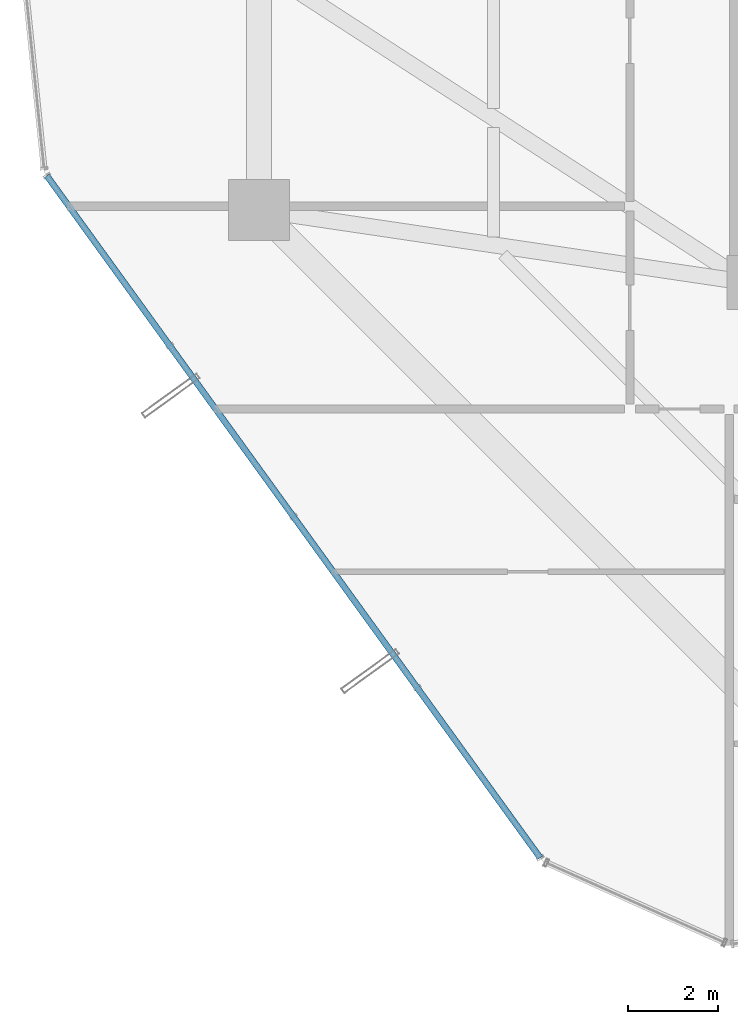
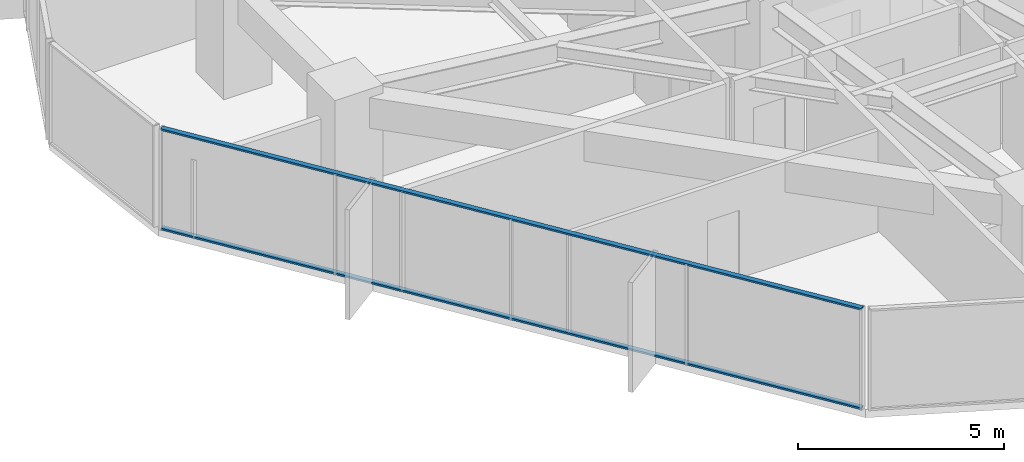
# One storey, part 3 of 37: 2 members, 1 element without a shape of its own.
"""IFC4 building model written with IfcOpenShell, lengths in metres."""

from ifc_helpers import new_model, si_unit, direction, frame, origin, origin_2d, place, context, subcontext, project, spatial, hollow_rectangle, extrude, source, transform, mapped, material, layer, layer_set, material_profile, profile_set, type_object, element, aggregate, save


model = new_model("IFC4")

# Units and contexts
model_context = context("Model", 3, precision=1e-05, world=origin(), true_north=direction((0.0, 1.0)))
body_context = subcontext(model_context, "Body", "Model", "MODEL_VIEW")
ifc_project = project(units=[si_unit("LENGTHUNIT", "METRE"), si_unit("AREAUNIT", "SQUARE_METRE"), si_unit("VOLUMEUNIT", "CUBIC_METRE"), si_unit("PLANEANGLEUNIT", "RADIAN"), si_unit("MASSUNIT", "GRAM", prefix="KILO")], contexts=[model_context])

# Site, building, storey
site_placement = place(None, origin())
site = spatial("IfcSite", under=ifc_project, at=site_placement, CompositionType="ELEMENT")
building_placement = place(site_placement, origin())
building = spatial("IfcBuilding", under=site, at=building_placement, Name="Veraguas Prism Commons", CompositionType="ELEMENT")
storey_placement = place(building_placement, frame((0.0, 0.0, 43.550048828125)))
storey = spatial("IfcBuildingStorey", under=building, at=storey_placement, Name="L11", CompositionType="ELEMENT", Elevation=43.550048828125)

# Curtain wall, members
ifc_material = material(Name="Anodised aluminium EN AW-6063 T6", Category="aluminium")
ifc_layer = layer(ifc_material, 0.169921875, Name="Unitised Flush Curtain Wall Zone 1", Category="aluminium")
ifc_layer_set = layer_set([ifc_layer], Name="Anodised aluminium EN AW-6063 T6")
curtain_wall_type = type_object("IfcCurtainWallType", Name="Unitised Flush Curtain Wall Zone 1", PredefinedType="NOTDEFINED", material=ifc_layer_set)
curtain_wall_placement = place(storey_placement, origin())
curtain_wall = element("IfcCurtainWall", 1, at=curtain_wall_placement, inside=storey, type_object=curtain_wall_type, Name="Tower Facade Curtain Wall L11-F4", PredefinedType="NOTDEFINED")
ifc_material_profile = material_profile(ifc_material, hollow_rectangle(XDim=0.054931640625, YDim=0.135009765625, WallThickness=0.0029296875, at=origin_2d()), Name="AL55X135X3")
ifc_profile_set = profile_set([ifc_material_profile], Name="Anodised aluminium EN AW-6063 T6")
member_type = type_object("IfcMemberType", Name="Curtain Wall Transom Standard AL 55x135x3", PredefinedType="USERDEFINED", material=ifc_profile_set)
shared_shape = source(origin(), body_context, "Body", "SweptSolid", [
    extrude(hollow_rectangle(XDim=0.054931640625, YDim=0.135009765625, WallThickness=0.0029296875, at=origin_2d()), origin(), (0.0, 0.0, 1.0), 18.623779296875),
])
member_1_placement = place(storey_placement, frame((1.701904296875, 19.36328125, 0.02734375), z_axis=(0.586083898437, -0.810250371177, 0.0), x_axis=(0.0, 0.0, 1.0)))
member_1 = element("IfcMember", 2, at=member_1_placement, type_object=member_type, Name="CW-Z1 Transom 1", ObjectType="TRANSOM", PredefinedType="USERDEFINED", context=body_context, shape_type="MappedRepresentation", body=[
    mapped(shared_shape, transform((0.0, 0.0, 0.0), scale=1.0)),
])
member_2_placement = place(storey_placement, frame((1.701904296875, 19.36328125, 2.972412109375), z_axis=(0.586083898437, -0.810250371177, 0.0), x_axis=(0.0, 0.0, 1.0)))
member_2 = element("IfcMember", 3, at=member_2_placement, type_object=member_type, Name="CW-Z1 Transom 2", ObjectType="TRANSOM", PredefinedType="USERDEFINED", context=body_context, shape_type="MappedRepresentation", body=[
    mapped(shared_shape, transform((0.0, 0.0, 0.0), scale=1.0)),
])
aggregate(curtain_wall, [member_1, member_2])

save(model, "model.ifc")
